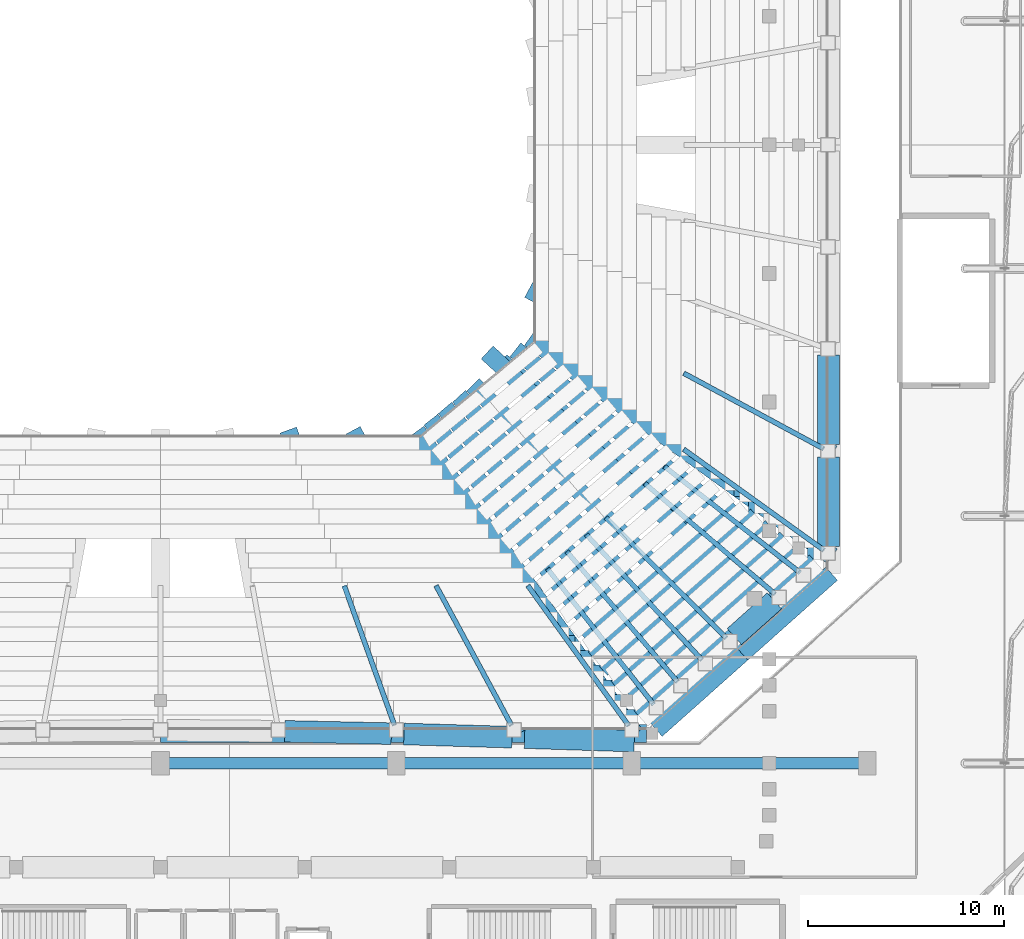
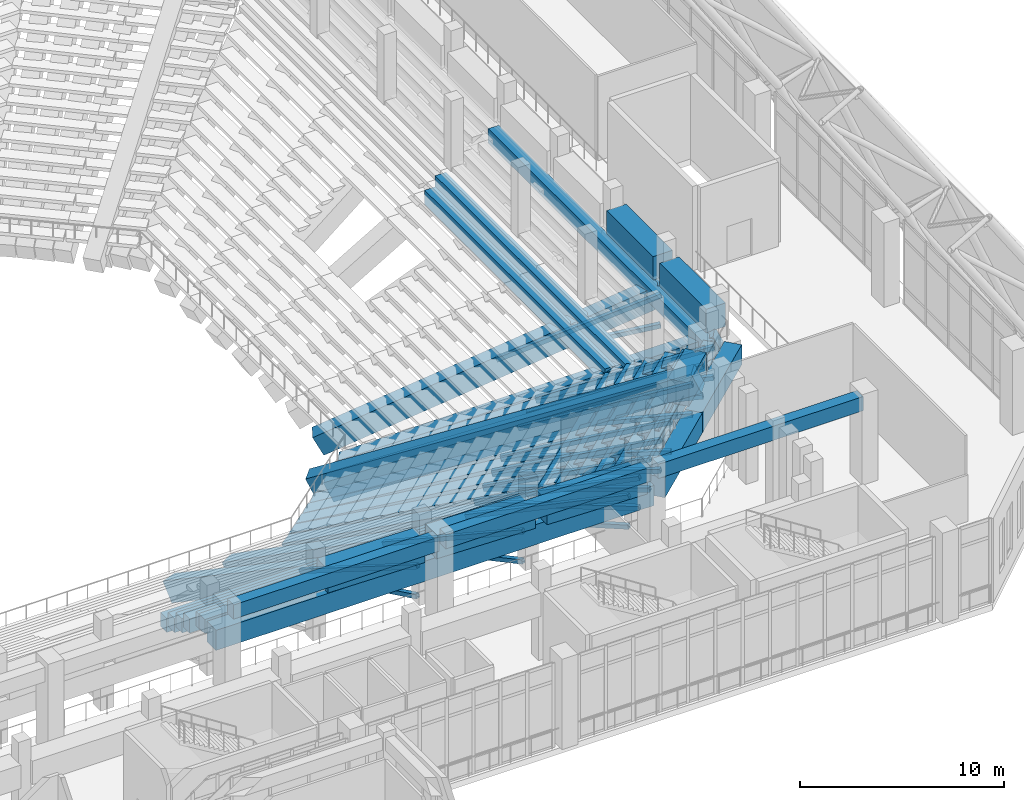
# One storey, part 39 of 159: 39 beams, 22 members.
"""IFC4 building model written with IfcOpenShell, lengths in metres."""

from ifc_helpers import new_model, si_unit, derived_unit, direction, frame, origin, origin_2d, place, context, subcontext, project, spatial, rectangle, hollow_rectangle, extrude, material, material_profile, profile_set, type_object, element, save


model = new_model("IFC4")

# Units and contexts
model_context = context("Model", 3, precision=1e-05, world=origin(), true_north=direction((0.0, 1.0)))
body_context = subcontext(model_context, "Body", "Model", "MODEL_VIEW")
ifc_project = project(units=[si_unit("LENGTHUNIT", "METRE"), si_unit("AREAUNIT", "SQUARE_METRE"), si_unit("VOLUMEUNIT", "CUBIC_METRE"), si_unit("PLANEANGLEUNIT", "RADIAN"), si_unit("MASSUNIT", "GRAM", prefix="KILO"), derived_unit("THERMALTRANSMITTANCEUNIT", [(si_unit("MASSUNIT", "GRAM", prefix="KILO"), 1), (si_unit("TIMEUNIT", "SECOND"), -3), (si_unit("THERMODYNAMICTEMPERATUREUNIT", "KELVIN"), -1)])], contexts=[model_context])

# Site, building, storey
site_placement = place(None, origin())
site = spatial("IfcSite", under=ifc_project, at=site_placement, CompositionType="ELEMENT")
building_placement = place(site_placement, origin())
building = spatial("IfcBuilding", under=site, at=building_placement, Name="Valcora Ridge Arena", CompositionType="ELEMENT")
storey_placement = place(building_placement, frame((0.0, 0.0, 6.0)))
storey = spatial("IfcBuildingStorey", under=building, at=storey_placement, Name="L01", CompositionType="ELEMENT", Elevation=6.0)

# Beams
ifc_material_1 = material(Name="Concrete C40/50", Category="concrete")
ifc_material_profile_1 = material_profile(ifc_material_1, rectangle(XDim=0.60009765625, YDim=0.85009765625, at=origin_2d()), Name="RC 600x850")
ifc_profile_set_1 = profile_set([ifc_material_profile_1], Name="Concrete C40/50")
beam_type_1 = type_object("IfcBeamType", Name="TY-BEAM-B-RC600-X", PredefinedType="BEAM", material=ifc_profile_set_1)
beam_1_placement = place(storey_placement, frame((58.0, 38.800048828125, 0.135009765625), z_axis=(1.0, 0.0, 0.0), x_axis=(0.0, 1.0, 0.0)))
element("IfcBeam", 1, at=beam_1_placement, inside=storey, type_object=beam_type_1, Name="B-RC600-X BEM-R2-B-RC600-X-0158", PredefinedType="BEAM", context=body_context, shape_type="SweptSolid", body=[
    extrude(rectangle(XDim=0.60009765625, YDim=0.85009765625, at=origin_2d()), origin(), (0.0, 0.0, 1.0), 21.110107421875),
])
beam_2_placement = place(storey_placement, frame((79.6005859375, 38.984619140625, 0.135009765625), z_axis=(0.751952198768, 0.659217635359, 0.0), x_axis=(-0.659217635359, 0.751952198768, 0.0)))
element("IfcBeam", 2, at=beam_2_placement, inside=storey, type_object=beam_type_1, Name="B-RC600-X BEM-R2-B-RC600-X-0159", PredefinedType="BEAM", context=body_context, shape_type="SweptSolid", body=[
    extrude(rectangle(XDim=0.60009765625, YDim=0.85009765625, at=origin_2d()), origin(), (0.0, 0.0, 1.0), 10.225341796875),
])
beam_3_placement = place(storey_placement, frame((87.5, 46.18994140625, 0.135009765625), z_axis=(0.0, 1.0, 0.0), x_axis=(-1.0, 0.0, 0.0)))
element("IfcBeam", 3, at=beam_3_placement, inside=storey, type_object=beam_type_1, Name="B-RC600-X BEM-R2-B-RC600-X-0160", PredefinedType="BEAM", context=body_context, shape_type="SweptSolid", body=[
    extrude(rectangle(XDim=0.60009765625, YDim=0.85009765625, at=origin_2d()), origin(), (0.0, 0.0, 1.0), 17.630126953125),
])
beam_4_placement = place(storey_placement, frame((58.0, 38.050048828125, 0.574951171875), z_axis=(1.0, 0.0, 0.0), x_axis=(0.0, 1.0, 0.0)))
element("IfcBeam", 4, at=beam_4_placement, inside=storey, type_object=beam_type_1, Name="B-RC600-X BEM-R2-B-RC600-X-0170", PredefinedType="BEAM", context=body_context, shape_type="SweptSolid", body=[
    extrude(rectangle(XDim=0.60009765625, YDim=0.85009765625, at=origin_2d()), origin(), (0.0, 0.0, 1.0), 21.97509765625),
])
beam_5_placement = place(storey_placement, frame((79.97509765625, 38.050048828125, 0.574951171875), z_axis=(0.751029040329, 0.660269172825, 0.0), x_axis=(-0.660269172825, 0.751029040329, 0.0)))
element("IfcBeam", 5, at=beam_5_placement, inside=storey, type_object=beam_type_1, Name="B-RC600-X BEM-R2-B-RC600-X-0171", PredefinedType="BEAM", context=body_context, shape_type="SweptSolid", body=[
    extrude(rectangle(XDim=0.60009765625, YDim=0.85009765625, at=origin_2d()), origin(), (0.0, 0.0, 1.0), 11.01806640625),
])
beam_6_placement = place(storey_placement, frame((88.25, 45.324951171875, 0.574951171875), z_axis=(0.0, 1.0, 0.0), x_axis=(-1.0, 0.0, 0.0)))
element("IfcBeam", 6, at=beam_6_placement, inside=storey, type_object=beam_type_1, Name="B-RC600-X BEM-R2-B-RC600-X-0172", PredefinedType="BEAM", context=body_context, shape_type="SweptSolid", body=[
    extrude(rectangle(XDim=0.60009765625, YDim=0.85009765625, at=origin_2d()), origin(), (0.0, 0.0, 1.0), 18.775146484375),
])
beam_7_placement = place(storey_placement, frame((58.0, 37.300048828125, 1.014892578125), z_axis=(1.0, 0.0, 0.0), x_axis=(0.0, 1.0, 0.0)))
element("IfcBeam", 7, at=beam_7_placement, inside=storey, type_object=beam_type_1, Name="B-RC600-X BEM-R2-B-RC600-X-0182", PredefinedType="BEAM", context=body_context, shape_type="SweptSolid", body=[
    extrude(rectangle(XDim=0.60009765625, YDim=0.85009765625, at=origin_2d()), origin(), (0.0, 0.0, 1.0), 22.56005859375),
])
beam_8_placement = place(storey_placement, frame((80.56005859375, 37.300048828125, 1.014892578125), z_axis=(0.750149332152, 0.661268462481, 0.0), x_axis=(-0.661268462481, 0.750149332152, 0.0)))
element("IfcBeam", 8, at=beam_8_placement, inside=storey, type_object=beam_type_1, Name="B-RC600-X BEM-R2-B-RC600-X-0183", PredefinedType="BEAM", context=body_context, shape_type="SweptSolid", body=[
    extrude(rectangle(XDim=0.60009765625, YDim=0.85009765625, at=origin_2d()), origin(), (0.0, 0.0, 1.0), 11.2509765625),
])
beam_9_placement = place(storey_placement, frame((58.0, 36.550048828125, 1.455078125), z_axis=(1.0, 0.0, 0.0), x_axis=(0.0, 1.0, 0.0)))
element("IfcBeam", 9, at=beam_9_placement, inside=storey, type_object=beam_type_1, Name="B-RC600-X BEM-R2-B-RC600-X-0194", PredefinedType="BEAM", context=body_context, shape_type="SweptSolid", body=[
    extrude(rectangle(XDim=0.60009765625, YDim=0.85009765625, at=origin_2d()), origin(), (0.0, 0.0, 1.0), 23.14501953125),
])
beam_10_placement = place(storey_placement, frame((81.14501953125, 36.550048828125, 1.455078125), z_axis=(0.749304061894, 0.662226111558, 0.0), x_axis=(-0.662226111558, 0.749304061894, 0.0)))
element("IfcBeam", 10, at=beam_10_placement, inside=storey, type_object=beam_type_1, Name="B-RC600-X BEM-R2-B-RC600-X-0195", PredefinedType="BEAM", context=body_context, shape_type="SweptSolid", body=[
    extrude(rectangle(XDim=0.60009765625, YDim=0.85009765625, at=origin_2d()), origin(), (0.0, 0.0, 1.0), 11.48388671875),
])
beam_11_placement = place(storey_placement, frame((58.280029296875, 35.800048828125, 1.89501953125), z_axis=(1.0, 0.0, 0.0), x_axis=(0.0, 1.0, 0.0)))
element("IfcBeam", 11, at=beam_11_placement, inside=storey, type_object=beam_type_1, Name="B-RC600-X BEM-R2-B-RC600-X-0206", PredefinedType="BEAM", context=body_context, shape_type="SweptSolid", body=[
    extrude(rectangle(XDim=0.60009765625, YDim=0.85009765625, at=origin_2d()), origin(), (0.0, 0.0, 1.0), 23.169921875),
])
beam_12_placement = place(storey_placement, frame((81.939697265625, 35.985595703125, 1.89501953125), z_axis=(0.748479246589, 0.663158214475, 0.0), x_axis=(-0.663158214475, 0.748479246589, 0.0)))
element("IfcBeam", 12, at=beam_12_placement, inside=storey, type_object=beam_type_1, Name="B-RC600-X BEM-R2-B-RC600-X-0207", PredefinedType="BEAM", context=body_context, shape_type="SweptSolid", body=[
    extrude(rectangle(XDim=0.60009765625, YDim=0.85009765625, at=origin_2d()), origin(), (0.0, 0.0, 1.0), 11.15673828125),
])
beam_13_placement = place(storey_placement, frame((58.0, 35.050048828125, 2.3349609375), z_axis=(1.0, 0.0, 0.0), x_axis=(0.0, 1.0, 0.0)))
element("IfcBeam", 13, at=beam_13_placement, inside=storey, type_object=beam_type_1, Name="B-RC600-X BEM-R2-B-RC600-X-0218", PredefinedType="BEAM", context=body_context, shape_type="SweptSolid", body=[
    extrude(rectangle(XDim=0.60009765625, YDim=0.85009765625, at=origin_2d()), origin(), (0.0, 0.0, 1.0), 24.31494140625),
])
beam_14_placement = place(storey_placement, frame((82.31494140625, 35.050048828125, 2.3349609375), z_axis=(0.747709075216, 0.664026459442, 0.0), x_axis=(-0.664026459442, 0.747709075216, 0.0)))
element("IfcBeam", 14, at=beam_14_placement, inside=storey, type_object=beam_type_1, Name="B-RC600-X BEM-R2-B-RC600-X-0219", PredefinedType="BEAM", context=body_context, shape_type="SweptSolid", body=[
    extrude(rectangle(XDim=0.60009765625, YDim=0.85009765625, at=origin_2d()), origin(), (0.0, 0.0, 1.0), 11.949951171875),
])
beam_15_placement = place(storey_placement, frame((91.25, 42.985107421875, 2.3349609375), z_axis=(0.0, 1.0, 0.0), x_axis=(-1.0, 0.0, 0.0)))
element("IfcBeam", 15, at=beam_15_placement, inside=storey, type_object=beam_type_1, Name="B-RC600-X BEM-R2-B-RC600-X-0220", PredefinedType="BEAM", context=body_context, shape_type="SweptSolid", body=[
    extrude(rectangle(XDim=0.60009765625, YDim=0.85009765625, at=origin_2d()), origin(), (0.0, 0.0, 1.0), 21.114990234375),
])
ifc_material_profile_2 = material_profile(ifc_material_1, rectangle(XDim=0.60009765625, YDim=0.85009765625, at=origin_2d()), Name="RC 600x850")
ifc_profile_set_2 = profile_set([ifc_material_profile_2], Name="Concrete C40/50")
beam_type_2 = type_object("IfcBeamType", Name="TY-BEAM-EB-RC600", PredefinedType="BEAM", material=ifc_profile_set_2)
for number, where, z_axis, x_axis, name in (
    (16, (58.199951171875, 32.60009765625, 4.614990234375), (1.0, 0.0, 0.0), (0.0, 1.0, 0.0), "EB-RC600 BEM-EB-RC600-0021"),
    (17, (70.199951171875, 32.60009765625, 4.614990234375), (1.0, 0.0, 0.0), (0.0, 1.0, 0.0), "EB-RC600 BEM-EB-RC600-0022"),
    (18, (82.199951171875, 32.60009765625, 4.614990234375), (1.0, 0.0, 0.0), (0.0, 1.0, 0.0), "EB-RC600 BEM-EB-RC600-0023"),
):
    element("IfcBeam", number, at=place(storey_placement, frame(where, z_axis=z_axis, x_axis=x_axis)), inside=storey, type_object=beam_type_2, Name=name, PredefinedType="BEAM", context=body_context, shape_type="SweptSolid", body=[
        extrude(rectangle(XDim=0.60009765625, YDim=0.85009765625, at=origin_2d()), origin(), (0.0, 0.0, 1.0), 11.60009765625),
    ])
ifc_material_profile_3 = material_profile(ifc_material_1, rectangle(XDim=0.89990234375, YDim=1.199951171875, at=origin_2d()), Name="RC 900x1200")
ifc_profile_set_3 = profile_set([ifc_material_profile_3], Name="Concrete C40/50")
beam_type_3 = type_object("IfcBeamType", Name="TY-BEAM-RKR-LOW-1200", PredefinedType="USERDEFINED", material=ifc_profile_set_3)
beam_16_placement = place(storey_placement, frame((64.60009765625, 49.300048828125, -6.489990234375), z_axis=(0.296536920199, -0.823728563931, 0.483256772248), x_axis=(0.940889364057, 0.338714045479, 0.0)))
element("IfcBeam", 19, at=beam_16_placement, inside=storey, type_object=beam_type_3, Name="RKR-LOW-1200 BEM-RK-RKR-LOW-1200-0007", ObjectType="RAKER", PredefinedType="USERDEFINED", context=body_context, shape_type="SweptSolid", body=[
    extrude(rectangle(XDim=0.89990234375, YDim=1.199951171875, at=origin_2d()), origin(), (0.0, 0.0, 1.0), 18.2099609375),
])
beam_17_placement = place(storey_placement, frame((67.89990234375, 49.300048828125, -6.489990234375), z_axis=(0.422216696468, -0.781873344716, 0.458701574061), x_axis=(0.879903002625, 0.475153349953, 0.0)))
element("IfcBeam", 20, at=beam_17_placement, inside=storey, type_object=beam_type_3, Name="RKR-LOW-1200 BEM-RK-RKR-LOW-1200-0008", ObjectType="RAKER", PredefinedType="USERDEFINED", context=body_context, shape_type="SweptSolid", body=[
    extrude(rectangle(XDim=0.89990234375, YDim=1.199951171875, at=origin_2d()), origin(), (0.0, 0.0, 1.0), 19.184814453125),
])
beam_18_placement = place(storey_placement, frame((71.199951171875, 49.300048828125, -6.489990234375), z_axis=(0.527565344936, -0.732726332999, 0.429868500536), x_axis=(0.811533088795, 0.584306465642, 0.0)))
element("IfcBeam", 21, at=beam_18_placement, inside=storey, type_object=beam_type_3, Name="RKR-LOW-1200 BEM-RK-RKR-LOW-1200-0009", ObjectType="RAKER", PredefinedType="USERDEFINED", context=body_context, shape_type="SweptSolid", body=[
    extrude(rectangle(XDim=0.89990234375, YDim=1.199951171875, at=origin_2d()), origin(), (0.0, 0.0, 1.0), 20.471435546875),
])
beam_19_placement = place(storey_placement, frame((71.925048828125, 49.89990234375, -6.489990234375), z_axis=(0.555774861545, -0.710357120878, 0.431864636307), x_axis=(0.787589368997, 0.61620044291, 0.0)))
element("IfcBeam", 22, at=beam_19_placement, inside=storey, type_object=beam_type_3, Name="RKR-LOW-1200 BEM-RK-RKR-LOW-1200-0010", ObjectType="RAKER", PredefinedType="USERDEFINED", context=body_context, shape_type="SweptSolid", body=[
    extrude(rectangle(XDim=0.89990234375, YDim=1.199951171875, at=origin_2d()), origin(), (0.0, 0.0, 1.0), 20.376953125),
])
beam_20_placement = place(storey_placement, frame((72.64990234375, 50.5, -6.489990234375), z_axis=(0.583481948544, -0.686875748029, 0.433301883787), x_axis=(0.762137730499, 0.647414920859, 0.0)))
element("IfcBeam", 23, at=beam_20_placement, inside=storey, type_object=beam_type_3, Name="RKR-LOW-1200 BEM-RK-RKR-LOW-1200-0011", ObjectType="RAKER", PredefinedType="USERDEFINED", context=body_context, shape_type="SweptSolid", body=[
    extrude(rectangle(XDim=0.89990234375, YDim=1.199951171875, at=origin_2d()), origin(), (0.0, 0.0, 1.0), 20.309326171875),
])
beam_21_placement = place(storey_placement, frame((73.375, 51.10009765625, -6.489990234375), z_axis=(0.610552334693, -0.662359184273, 0.434172958175), x_axis=(0.73527694431, 0.677766785233, 0.0)))
element("IfcBeam", 24, at=beam_21_placement, inside=storey, type_object=beam_type_3, Name="RKR-LOW-1200 BEM-RK-RKR-LOW-1200-0012", ObjectType="RAKER", PredefinedType="USERDEFINED", context=body_context, shape_type="SweptSolid", body=[
    extrude(rectangle(XDim=0.89990234375, YDim=1.199951171875, at=origin_2d()), origin(), (0.0, 0.0, 1.0), 20.2685546875),
])
beam_22_placement = place(storey_placement, frame((74.10009765625, 51.699951171875, -6.489990234375), z_axis=(0.636882105982, -0.636882105982, 0.434467911543), x_axis=(0.707106781187, 0.707106781187, 0.0)))
element("IfcBeam", 25, at=beam_22_placement, inside=storey, type_object=beam_type_3, Name="RKR-LOW-1200 BEM-RK-RKR-LOW-1200-0013", ObjectType="RAKER", PredefinedType="USERDEFINED", context=body_context, shape_type="SweptSolid", body=[
    extrude(rectangle(XDim=0.89990234375, YDim=1.199951171875, at=origin_2d()), origin(), (0.0, 0.0, 1.0), 20.2548828125),
])
beam_23_placement = place(storey_placement, frame((75.550048828125, 52.89990234375, -6.489990234375), z_axis=(0.686880565857, -0.583474019933, 0.433304923018), x_axis=(0.647407173148, 0.762144311896, 0.0)))
element("IfcBeam", 26, at=beam_23_placement, inside=storey, type_object=beam_type_3, Name="RKR-LOW-1200 BEM-RK-RKR-LOW-1200-0014", ObjectType="RAKER", PredefinedType="USERDEFINED", context=body_context, shape_type="SweptSolid", body=[
    extrude(rectangle(XDim=0.89990234375, YDim=1.199951171875, at=origin_2d()), origin(), (0.0, 0.0, 1.0), 20.30908203125),
])
beam_24_placement = place(storey_placement, frame((76.27490234375, 53.5, -6.489990234375), z_axis=(0.710363056233, -0.555770131379, 0.431860960734), x_axis=(0.616193996107, 0.787594412856, 0.0)))
element("IfcBeam", 27, at=beam_24_placement, inside=storey, type_object=beam_type_3, Name="RKR-LOW-1200 BEM-RK-RKR-LOW-1200-0015", ObjectType="RAKER", PredefinedType="USERDEFINED", context=body_context, shape_type="SweptSolid", body=[
    extrude(rectangle(XDim=0.89990234375, YDim=1.199951171875, at=origin_2d()), origin(), (0.0, 0.0, 1.0), 20.376953125),
])
beam_25_placement = place(storey_placement, frame((77.0, 54.10009765625, -6.489990234375), z_axis=(0.732726332999, -0.527565344936, 0.429868500536), x_axis=(0.584306465642, 0.811533088795, 0.0)))
element("IfcBeam", 28, at=beam_25_placement, inside=storey, type_object=beam_type_3, Name="RKR-LOW-1200 BEM-RK-RKR-LOW-1200-0016", ObjectType="RAKER", PredefinedType="USERDEFINED", context=body_context, shape_type="SweptSolid", body=[
    extrude(rectangle(XDim=0.89990234375, YDim=1.199951171875, at=origin_2d()), origin(), (0.0, 0.0, 1.0), 20.471435546875),
])
beam_26_placement = place(storey_placement, frame((77.0, 56.60009765625, -6.489990234375), z_axis=(0.781873344716, -0.422216696468, 0.458701574061), x_axis=(0.475153349953, 0.879903002625, 0.0)))
element("IfcBeam", 29, at=beam_26_placement, inside=storey, type_object=beam_type_3, Name="RKR-LOW-1200 BEM-RK-RKR-LOW-1200-0017", ObjectType="RAKER", PredefinedType="USERDEFINED", context=body_context, shape_type="SweptSolid", body=[
    extrude(rectangle(XDim=0.89990234375, YDim=1.199951171875, at=origin_2d()), origin(), (0.0, 0.0, 1.0), 19.184814453125),
])
beam_27_placement = place(storey_placement, frame((74.824951171875, 53.35009765625, -6.2900390625), z_axis=(0.662359184273, -0.610552334693, 0.434172958175), x_axis=(0.677766785233, 0.73527694431, 0.0)))
element("IfcBeam", 30, at=beam_27_placement, inside=storey, type_object=beam_type_3, Name="RKR-LOW-1200 BEM-RKN-RKR-LOW-1200-0001", ObjectType="RAKER", PredefinedType="USERDEFINED", context=body_context, shape_type="SweptSolid", body=[
    extrude(rectangle(XDim=0.89990234375, YDim=1.199951171875, at=origin_2d()), origin(), (0.0, 0.0, 1.0), 20.2685546875),
])
ifc_material_2 = material(Name="Concrete C45/55", Category="concrete")
ifc_material_profile_4 = material_profile(ifc_material_2, rectangle(XDim=0.89990234375, YDim=1.199951171875, at=origin_2d()), Name="RC 900x1200")
ifc_profile_set_4 = profile_set([ifc_material_profile_4], Name="Concrete C45/55")
beam_type_4 = type_object("IfcBeamType", Name="TY-BEAM-RKR-RING-850", PredefinedType="USERDEFINED", material=ifc_profile_set_4)
beam_28_placement = place(storey_placement, frame((58.0, 34.1201171875, 2.159912109375), z_axis=(1.0, 0.0, 0.0), x_axis=(0.0, 1.0, 0.0)))
element("IfcBeam", 31, at=beam_28_placement, inside=storey, type_object=beam_type_4, Name="RKR-RING-850 BEM-R2-RKR-RING-850-0002", ObjectType="RAKER", PredefinedType="USERDEFINED", context=body_context, shape_type="SweptSolid", body=[
    extrude(rectangle(XDim=0.89990234375, YDim=1.199951171875, at=origin_2d()), origin(), (0.0, 0.0, 1.0), 24.760498046875),
])
beam_29_placement = place(storey_placement, frame((83.24951171875, 34.30615234375, 2.159912109375), z_axis=(0.746774614076, 0.665077195348, 0.0), x_axis=(-0.665077195348, 0.746774614076, 0.0)))
element("IfcBeam", 32, at=beam_29_placement, inside=storey, type_object=beam_type_4, Name="RKR-RING-850 BEM-R2-RKR-RING-850-0003", ObjectType="RAKER", PredefinedType="USERDEFINED", context=body_context, shape_type="SweptSolid", body=[
    extrude(rectangle(XDim=0.89990234375, YDim=1.199951171875, at=origin_2d()), origin(), (0.0, 0.0, 1.0), 5.83935546875),
])
beam_30_placement = place(storey_placement, frame((87.610107421875, 38.189697265625, 2.159912109375), z_axis=(0.746779446609, 0.665071769151, 0.0), x_axis=(-0.665071769151, 0.746779446609, 0.0)))
element("IfcBeam", 33, at=beam_30_placement, inside=storey, type_object=beam_type_4, Name="RKR-RING-850 BEM-R2-RKR-RING-850-0004", ObjectType="RAKER", PredefinedType="USERDEFINED", context=body_context, shape_type="SweptSolid", body=[
    extrude(rectangle(XDim=0.89990234375, YDim=1.199951171875, at=origin_2d()), origin(), (0.0, 0.0, 1.0), 6.119384765625),
])
ifc_material_profile_5 = material_profile(ifc_material_2, rectangle(XDim=1.10009765625, YDim=1.39990234375, at=origin_2d()), Name="RC 1100x1400")
ifc_profile_set_5 = profile_set([ifc_material_profile_5], Name="Concrete C45/55")
beam_type_5 = type_object("IfcBeamType", Name="TY-BEAM-RKR-URING-1100", PredefinedType="USERDEFINED", material=ifc_profile_set_5)
beam_31_placement = place(storey_placement, frame((64.33251953125, 34.228515625, 3.47509765625), z_axis=(0.999759796799, -0.021916858926, 0.0), x_axis=(0.021916858926, 0.999759796799, 0.0)))
element("IfcBeam", 34, at=beam_31_placement, inside=storey, type_object=beam_type_5, Name="RKR-URING-1100 BEM-RU2-RKR-URING-1100-0009", ObjectType="RAKER", PredefinedType="USERDEFINED", context=body_context, shape_type="SweptSolid", body=[
    extrude(rectangle(XDim=1.10009765625, YDim=1.39990234375, at=origin_2d()), origin(), (0.0, 0.0, 1.0), 5.4248046875),
])
beam_32_placement = place(storey_placement, frame((70.39599609375, 34.09326171875, 3.47509765625), z_axis=(0.9995560656, -0.029793820186, 0.0), x_axis=(0.029793820186, 0.9995560656, 0.0)))
element("IfcBeam", 35, at=beam_32_placement, inside=storey, type_object=beam_type_5, Name="RKR-URING-1100 BEM-RU2-RKR-URING-1100-0010", ObjectType="RAKER", PredefinedType="USERDEFINED", context=body_context, shape_type="SweptSolid", body=[
    extrude(rectangle(XDim=1.10009765625, YDim=1.39990234375, at=origin_2d()), origin(), (0.0, 0.0, 1.0), 5.506591796875),
])
beam_33_placement = place(storey_placement, frame((76.539794921875, 33.9091796875, 3.47509765625), z_axis=(0.999483467734, -0.032137170478, 0.0), x_axis=(0.032137170478, 0.999483467734, 0.0)))
element("IfcBeam", 36, at=beam_33_placement, inside=storey, type_object=beam_type_5, Name="RKR-URING-1100 BEM-RU2-RKR-URING-1100-0011", ObjectType="RAKER", PredefinedType="USERDEFINED", context=body_context, shape_type="SweptSolid", body=[
    extrude(rectangle(XDim=1.10009765625, YDim=1.39990234375, at=origin_2d()), origin(), (0.0, 0.0, 1.0), 5.59130859375),
])
beam_34_placement = place(storey_placement, frame((87.2255859375, 39.053466796875, 3.47509765625), z_axis=(0.745855261758, 0.666108045672, 0.0), x_axis=(-0.666108045672, 0.745855261758, 0.0)))
element("IfcBeam", 37, at=beam_34_placement, inside=storey, type_object=beam_type_5, Name="RKR-URING-1100 BEM-RU2-RKR-URING-1100-0012", ObjectType="RAKER", PredefinedType="USERDEFINED", context=body_context, shape_type="SweptSolid", body=[
    extrude(rectangle(XDim=1.10009765625, YDim=1.39990234375, at=origin_2d()), origin(), (0.0, 0.0, 1.0), 2.73388671875),
])
for number, where, z_axis, x_axis, name in (
    (38, (92.01953125, 43.655029296875, 3.47509765625), (0.0, 1.0, 0.0), (-1.0, 0.0, 0.0), "RKR-URING-1100 BEM-RU2-RKR-URING-1100-0013"),
    (39, (92.01953125, 48.84619140625, 3.47509765625), (0.0, 1.0, 0.0), (-1.0, 0.0, 0.0), "RKR-URING-1100 BEM-RU2-RKR-URING-1100-0014"),
):
    element("IfcBeam", number, at=place(storey_placement, frame(where, z_axis=z_axis, x_axis=x_axis)), inside=storey, type_object=beam_type_5, Name=name, ObjectType="RAKER", PredefinedType="USERDEFINED", context=body_context, shape_type="SweptSolid", body=[
        extrude(rectangle(XDim=1.10009765625, YDim=1.39990234375, at=origin_2d()), origin(), (0.0, 0.0, 1.0), 4.55126953125),
    ])

# Members
ifc_material_3 = material(Name="Steel ASTM A500 Grade C", Category="steel")
ifc_material_profile_6 = material_profile(ifc_material_3, hollow_rectangle(XDim=0.25, YDim=0.25, WallThickness=0.012451171875, at=origin_2d()), Name="HSS250X250X12")
ifc_profile_set_6 = profile_set([ifc_material_profile_6], Name="Steel ASTM A500 Grade C")
member_type_1 = type_object("IfcMemberType", Name="TY-MEMBER-RKRC-253", PredefinedType="CHORD", material=ifc_profile_set_6)
member_1_placement = place(storey_placement, frame((67.378662109375, 41.58154296875, -1.8388671875), z_axis=(0.327528756284, -0.909847762124, 0.254758637862), x_axis=(0.940892829266, 0.338704419569, 0.0)))
element("IfcMember", 40, at=member_1_placement, inside=storey, type_object=member_type_1, Name="RKRC-253 MBR-RK-RKRC-253-0007", PredefinedType="CHORD", context=body_context, shape_type="SweptSolid", body=[
    extrude(hollow_rectangle(XDim=0.25, YDim=0.25, WallThickness=0.012451171875, at=origin_2d()), origin(), (0.0, 0.0, 1.0), 7.72314453125),
])
member_2_placement = place(storey_placement, frame((72.060791015625, 41.594970703125, -1.842529296875), z_axis=(0.461353135167, -0.854357657717, 0.239220144161), x_axis=(0.879905397657, 0.475148914735, 0.0)))
element("IfcMember", 41, at=member_2_placement, inside=storey, type_object=member_type_1, Name="RKRC-253 MBR-RK-RKRC-253-0008", PredefinedType="CHORD", context=body_context, shape_type="SweptSolid", body=[
    extrude(hollow_rectangle(XDim=0.25, YDim=0.25, WallThickness=0.012451171875, at=origin_2d()), origin(), (0.0, 0.0, 1.0), 8.258544921875),
])
member_3_placement = place(storey_placement, frame((76.73681640625, 41.610107421875, -1.8466796875), z_axis=(0.569779115375, -0.791367453476, 0.221561082463), x_axis=(0.811536992157, 0.584301044293, 0.0)))
element("IfcMember", 42, at=member_3_placement, inside=storey, type_object=member_type_1, Name="RKRC-253 MBR-RK-RKRC-253-0009", PredefinedType="CHORD", context=body_context, shape_type="SweptSolid", body=[
    extrude(hollow_rectangle(XDim=0.25, YDim=0.25, WallThickness=0.012451171875, at=origin_2d()), origin(), (0.0, 0.0, 1.0), 8.95751953125),
])
member_4_placement = place(storey_placement, frame((77.731689453125, 42.478271484375, -1.846435546875), z_axis=(0.600703415126, -0.767806090065, 0.222776154729), x_axis=(0.787598742153, 0.616188462533, 0.0)))
element("IfcMember", 43, at=member_4_placement, inside=storey, type_object=member_type_1, Name="RKRC-253 MBR-RK-RKRC-253-0010", PredefinedType="CHORD", context=body_context, shape_type="SweptSolid", body=[
    extrude(hollow_rectangle(XDim=0.25, YDim=0.25, WallThickness=0.012451171875, at=origin_2d()), origin(), (0.0, 0.0, 1.0), 8.906494140625),
])
member_5_placement = place(storey_placement, frame((78.726318359375, 43.3466796875, -1.84619140625), z_axis=(0.63102107054, -0.742829471348, 0.223644327072), x_axis=(0.762133689786, 0.647419677561, 0.0)))
element("IfcMember", 44, at=member_5_placement, inside=storey, type_object=member_type_1, Name="RKRC-253 MBR-RK-RKRC-253-0011", PredefinedType="CHORD", context=body_context, shape_type="SweptSolid", body=[
    extrude(hollow_rectangle(XDim=0.25, YDim=0.25, WallThickness=0.012451171875, at=origin_2d()), origin(), (0.0, 0.0, 1.0), 8.86962890625),
])
member_6_placement = place(storey_placement, frame((79.720947265625, 44.215576171875, -1.84619140625), z_axis=(0.660521078651, -0.71656244847, 0.224165479278), x_axis=(0.735274375781, 0.677769571698, 0.0)))
element("IfcMember", 45, at=member_6_placement, inside=storey, type_object=member_type_1, Name="RKRC-253 MBR-RK-RKRC-253-0012", PredefinedType="CHORD", context=body_context, shape_type="SweptSolid", body=[
    extrude(hollow_rectangle(XDim=0.25, YDim=0.25, WallThickness=0.012451171875, at=origin_2d()), origin(), (0.0, 0.0, 1.0), 8.847900390625),
])
member_7_placement = place(storey_placement, frame((80.71533203125, 45.084716796875, -1.84619140625), z_axis=(0.689080930795, -0.689080930795, 0.224354499911), x_axis=(0.707106781187, 0.707106781187, 0.0)))
element("IfcMember", 46, at=member_7_placement, inside=storey, type_object=member_type_1, Name="RKRC-253 MBR-RK-RKRC-253-0013", PredefinedType="CHORD", context=body_context, shape_type="SweptSolid", body=[
    extrude(hollow_rectangle(XDim=0.25, YDim=0.25, WallThickness=0.012451171875, at=origin_2d()), origin(), (0.0, 0.0, 1.0), 8.840576171875),
])
member_8_placement = place(storey_placement, frame((82.703369140625, 46.823486328125, -1.84619140625), z_axis=(0.742842373714, -0.631004504947, 0.223648211599), x_axis=(0.647403273523, 0.762147624435, 0.0)))
element("IfcMember", 47, at=member_8_placement, inside=storey, type_object=member_type_1, Name="RKRC-253 MBR-RK-RKRC-253-0014", PredefinedType="CHORD", context=body_context, shape_type="SweptSolid", body=[
    extrude(hollow_rectangle(XDim=0.25, YDim=0.25, WallThickness=0.012451171875, at=origin_2d()), origin(), (0.0, 0.0, 1.0), 8.869384765625),
])
member_9_placement = place(storey_placement, frame((83.69677734375, 47.693359375, -1.846435546875), z_axis=(0.76779483786, -0.600716058298, 0.222780843561), x_axis=(0.616202108903, 0.787588065541, 0.0)))
element("IfcMember", 48, at=member_9_placement, inside=storey, type_object=member_type_1, Name="RKRC-253 MBR-RK-RKRC-253-0015", PredefinedType="CHORD", context=body_context, shape_type="SweptSolid", body=[
    extrude(hollow_rectangle(XDim=0.25, YDim=0.25, WallThickness=0.012451171875, at=origin_2d()), origin(), (0.0, 0.0, 1.0), 8.90625),
])
member_10_placement = place(storey_placement, frame((84.68994140625, 48.563232421875, -1.8466796875), z_axis=(0.791357266691, -0.569791405255, 0.221565861436), x_axis=(0.584314298042, 0.811527449384, 0.0)))
element("IfcMember", 49, at=member_10_placement, inside=storey, type_object=member_type_1, Name="RKRC-253 MBR-RK-RKRC-253-0016", PredefinedType="CHORD", context=body_context, shape_type="SweptSolid", body=[
    extrude(hollow_rectangle(XDim=0.25, YDim=0.25, WallThickness=0.012451171875, at=origin_2d()), origin(), (0.0, 0.0, 1.0), 8.957275390625),
])
member_11_placement = place(storey_placement, frame((84.705078125, 52.439208984375, -1.842529296875), z_axis=(0.854357657717, -0.461353135167, 0.239220144161), x_axis=(0.475148914735, 0.879905397657, 0.0)))
element("IfcMember", 50, at=member_11_placement, inside=storey, type_object=member_type_1, Name="RKRC-253 MBR-RK-RKRC-253-0017", PredefinedType="CHORD", context=body_context, shape_type="SweptSolid", body=[
    extrude(hollow_rectangle(XDim=0.25, YDim=0.25, WallThickness=0.012451171875, at=origin_2d()), origin(), (0.0, 0.0, 1.0), 8.258544921875),
])
ifc_material_profile_7 = material_profile(ifc_material_3, hollow_rectangle(XDim=0.25, YDim=0.25, WallThickness=0.012451171875, at=origin_2d()), Name="HSS250X250X12")
ifc_profile_set_7 = profile_set([ifc_material_profile_7], Name="Steel ASTM A500 Grade C")
member_type_2 = type_object("IfcMemberType", Name="TY-MEMBER-RKRD-253", PredefinedType="BRACE", material=ifc_profile_set_7)
member_12_placement = place(storey_placement, frame((67.373046875, 41.59716796875, -1.744384765625), z_axis=(0.304251791003, -0.845160099491, 0.439471562107), x_axis=(0.940889485562, 0.338713707959, 0.0)))
element("IfcMember", 51, at=member_12_placement, inside=storey, type_object=member_type_2, Name="RKRD-253 Raker Diagonal Brace", PredefinedType="BRACE", context=body_context, shape_type="SweptSolid", body=[
    extrude(hollow_rectangle(XDim=0.25, YDim=0.25, WallThickness=0.012451171875, at=origin_2d()), origin(), (0.0, 0.0, 1.0), 8.35400390625),
])
member_13_placement = place(storey_placement, frame((72.0537109375, 41.60791015625, -1.75), z_axis=(0.432056369085, -0.800137069528, 0.416062451924), x_axis=(0.879913511774, 0.475133888285, 0.0)))
element("IfcMember", 52, at=member_13_placement, inside=storey, type_object=member_type_2, Name="RKRD-253 Raker Diagonal Brace", PredefinedType="BRACE", context=body_context, shape_type="SweptSolid", body=[
    extrude(hollow_rectangle(XDim=0.25, YDim=0.25, WallThickness=0.012451171875, at=origin_2d()), origin(), (0.0, 0.0, 1.0), 8.853515625),
])
member_14_placement = place(storey_placement, frame((76.729248046875, 41.62060546875, -1.756591796875), z_axis=(0.538344168053, -0.747680268114, 0.388792712633), x_axis=(0.811526942923, 0.584315001442, 0.0)))
element("IfcMember", 53, at=member_14_placement, inside=storey, type_object=member_type_2, Name="RKRD-253 Raker Diagonal Brace", PredefinedType="BRACE", context=body_context, shape_type="SweptSolid", body=[
    extrude(hollow_rectangle(XDim=0.25, YDim=0.25, WallThickness=0.012451171875, at=origin_2d()), origin(), (0.0, 0.0, 1.0), 9.5107421875),
])
member_15_placement = place(storey_placement, frame((77.7236328125, 42.488525390625, -1.756103515625), z_axis=(0.56723559098, -0.725001698451, 0.390661389913), x_axis=(0.787587793591, 0.616202456492, 0.0)))
element("IfcMember", 54, at=member_15_placement, inside=storey, type_object=member_type_2, Name="RKRD-253 Raker Diagonal Brace", PredefinedType="BRACE", context=body_context, shape_type="SweptSolid", body=[
    extrude(hollow_rectangle(XDim=0.25, YDim=0.25, WallThickness=0.012451171875, at=origin_2d()), origin(), (0.0, 0.0, 1.0), 9.462890625),
])
member_16_placement = place(storey_placement, frame((78.718017578125, 43.356689453125, -1.755859375), z_axis=(0.595587341236, -0.701135776144, 0.392025946042), x_axis=(0.762142078554, 0.647409802287, 0.0)))
element("IfcMember", 55, at=member_16_placement, inside=storey, type_object=member_type_2, Name="RKRD-253 Raker Diagonal Brace", PredefinedType="BRACE", context=body_context, shape_type="SweptSolid", body=[
    extrude(hollow_rectangle(XDim=0.25, YDim=0.25, WallThickness=0.012451171875, at=origin_2d()), origin(), (0.0, 0.0, 1.0), 9.427978515625),
])
member_17_placement = place(storey_placement, frame((79.712158203125, 44.22509765625, -1.755615234375), z_axis=(0.623275648441, -0.676166878101, 0.392843249935), x_axis=(0.735279330039, 0.677764197061, 0.0)))
element("IfcMember", 56, at=member_17_placement, inside=storey, type_object=member_type_2, Name="RKRD-253 Raker Diagonal Brace", PredefinedType="BRACE", context=body_context, shape_type="SweptSolid", body=[
    extrude(hollow_rectangle(XDim=0.25, YDim=0.25, WallThickness=0.012451171875, at=origin_2d()), origin(), (0.0, 0.0, 1.0), 9.4072265625),
])
member_18_placement = place(storey_placement, frame((80.7060546875, 45.093994140625, -1.755615234375), z_axis=(0.650176136427, -0.650176136427, 0.39311828149), x_axis=(0.707106781187, 0.707106781187, 0.0)))
element("IfcMember", 57, at=member_18_placement, inside=storey, type_object=member_type_2, Name="RKRD-253 Raker Diagonal Brace", PredefinedType="BRACE", context=body_context, shape_type="SweptSolid", body=[
    extrude(hollow_rectangle(XDim=0.25, YDim=0.25, WallThickness=0.012451171875, at=origin_2d()), origin(), (0.0, 0.0, 1.0), 9.400634765625),
])
member_19_placement = place(storey_placement, frame((82.693359375, 46.83203125, -1.755859375), z_axis=(0.701135776144, -0.595587341236, 0.392025946042), x_axis=(0.647409802287, 0.762142078554, 0.0)))
element("IfcMember", 58, at=member_19_placement, inside=storey, type_object=member_type_2, Name="RKRD-253 Raker Diagonal Brace", PredefinedType="BRACE", context=body_context, shape_type="SweptSolid", body=[
    extrude(hollow_rectangle(XDim=0.25, YDim=0.25, WallThickness=0.012451171875, at=origin_2d()), origin(), (0.0, 0.0, 1.0), 9.427978515625),
])
member_20_placement = place(storey_placement, frame((83.6865234375, 47.701416015625, -1.756103515625), z_axis=(0.725001698451, -0.56723559098, 0.390661389913), x_axis=(0.616202456492, 0.787587793591, 0.0)))
element("IfcMember", 59, at=member_20_placement, inside=storey, type_object=member_type_2, Name="RKRD-253 Raker Diagonal Brace", PredefinedType="BRACE", context=body_context, shape_type="SweptSolid", body=[
    extrude(hollow_rectangle(XDim=0.25, YDim=0.25, WallThickness=0.012451171875, at=origin_2d()), origin(), (0.0, 0.0, 1.0), 9.462890625),
])
member_21_placement = place(storey_placement, frame((84.679443359375, 48.57080078125, -1.756591796875), z_axis=(0.747680268114, -0.538344168053, 0.388792712633), x_axis=(0.584315001442, 0.811526942923, 0.0)))
element("IfcMember", 60, at=member_21_placement, inside=storey, type_object=member_type_2, Name="RKRD-253 Raker Diagonal Brace", PredefinedType="BRACE", context=body_context, shape_type="SweptSolid", body=[
    extrude(hollow_rectangle(XDim=0.25, YDim=0.25, WallThickness=0.012451171875, at=origin_2d()), origin(), (0.0, 0.0, 1.0), 9.5107421875),
])
member_22_placement = place(storey_placement, frame((84.69189453125, 52.4462890625, -1.75), z_axis=(0.800137069528, -0.432056369085, 0.416062451924), x_axis=(0.475133888285, 0.879913511774, 0.0)))
element("IfcMember", 61, at=member_22_placement, inside=storey, type_object=member_type_2, Name="RKRD-253 Raker Diagonal Brace", PredefinedType="BRACE", context=body_context, shape_type="SweptSolid", body=[
    extrude(hollow_rectangle(XDim=0.25, YDim=0.25, WallThickness=0.012451171875, at=origin_2d()), origin(), (0.0, 0.0, 1.0), 8.853515625),
])

save(model, "model.ifc")
